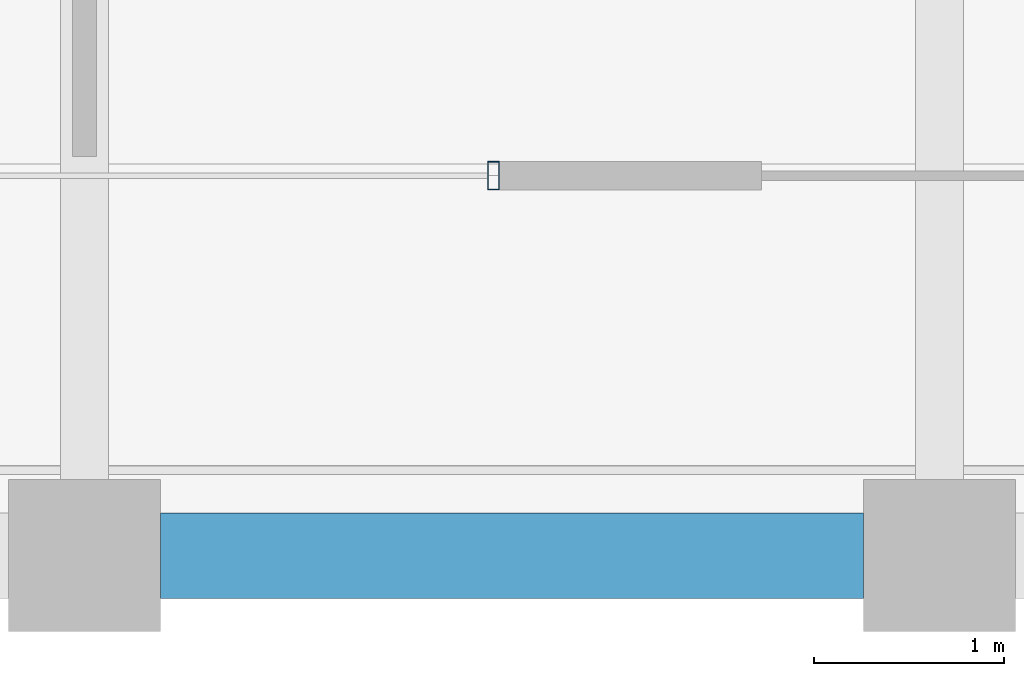
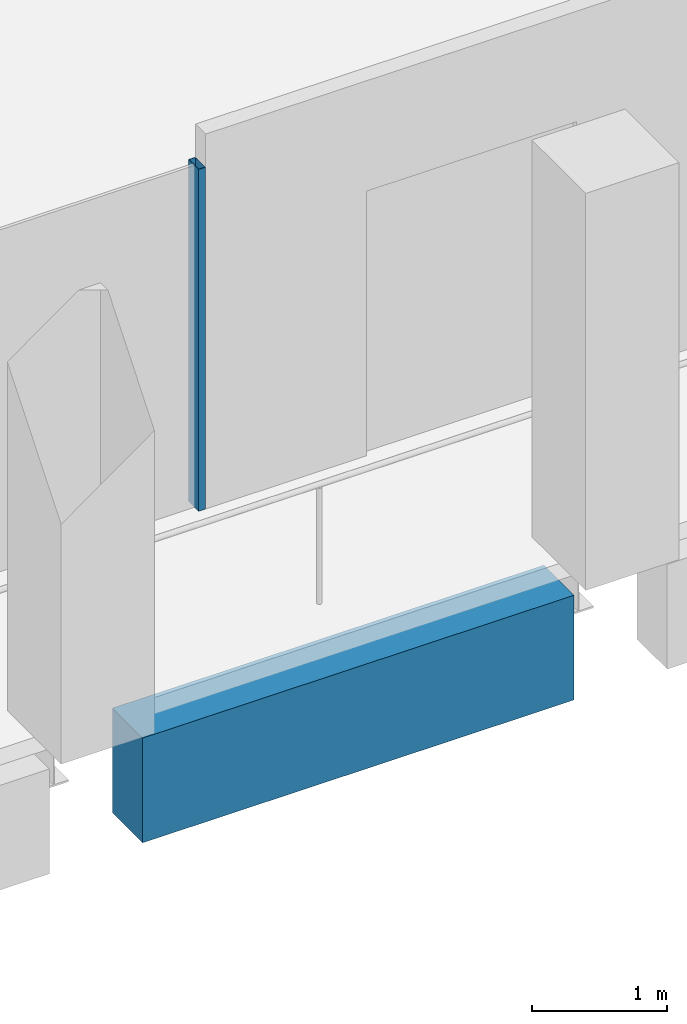
# One storey, part 7 of 30: 1 beam, 1 member, 1 element without a shape of its own.
"""IFC4 building model written with IfcOpenShell, lengths in metres."""

from ifc_helpers import new_model, si_unit, direction, frame, origin, origin_2d, place, context, subcontext, project, spatial, rectangle, hollow_rectangle, extrude, material, material_profile, profile_set, type_object, element, aggregate, save


model = new_model("IFC4")

# Units and contexts
model_context = context("Model", 3, precision=1e-05, world=origin(), true_north=direction((0.0, 1.0)))
body_context = subcontext(model_context, "Body", "Model", "MODEL_VIEW")
ifc_project = project(units=[si_unit("LENGTHUNIT", "METRE"), si_unit("AREAUNIT", "SQUARE_METRE"), si_unit("VOLUMEUNIT", "CUBIC_METRE"), si_unit("PLANEANGLEUNIT", "RADIAN"), si_unit("MASSUNIT", "GRAM", prefix="KILO")], contexts=[model_context])

# Site, building, storey
site_placement = place(None, origin())
site = spatial("IfcSite", under=ifc_project, at=site_placement, CompositionType="ELEMENT")
building_placement = place(site_placement, origin())
building = spatial("IfcBuilding", under=site, at=building_placement, Name="Altepetl Exchange Towers", CompositionType="ELEMENT")
storey_placement = place(building_placement, frame((0.0, 0.0, 242.39990234375)))
storey = spatial("IfcBuildingStorey", under=building, at=storey_placement, Name="L62", CompositionType="ELEMENT", Elevation=242.39990234375)

# Curtain wall, member
ifc_material_1 = material(Name="Aluminium 6063-T6 glazing", Category="aluminium")
curtain_wall_type = type_object("IfcCurtainWallType", Name="Loggia glazing system", PredefinedType="NOTDEFINED", material=ifc_material_1)
curtain_wall_placement = place(storey_placement, origin())
curtain_wall = element("IfcCurtainWall", 1, at=curtain_wall_placement, inside=storey, type_object=curtain_wall_type, Name="CW1 run", PredefinedType="NOTDEFINED")
ifc_material_2 = material(Name="Aluminium 6063-T6", Category="aluminium")
ifc_material_profile_1 = material_profile(ifc_material_2, hollow_rectangle(XDim=0.06005859375, YDim=0.14990234375, WallThickness=0.0029296875, at=origin_2d()), Name="Mullion 60x150 aluminium")
ifc_profile_set_1 = profile_set([ifc_material_profile_1], Name="Aluminium 6063-T6")
member_type = type_object("IfcMemberType", Name="Mullion 60x150 aluminium", PredefinedType="MULLION", material=ifc_profile_set_1)
member_placement = place(storey_placement, frame((47.152099609375, 29.0, 0.0)))
member = element("IfcMember", 2, at=member_placement, type_object=member_type, Name="MU1 mullion", PredefinedType="MULLION", context=body_context, shape_type="SweptSolid", body=[
    extrude(hollow_rectangle(XDim=0.06005859375, YDim=0.14990234375, WallThickness=0.0029296875, at=origin_2d()), origin(), (0.0, 0.0, 1.0), 3.10009765625),
])
aggregate(curtain_wall, [member])

# Beam
ifc_material_3 = material(Name="Concrete C50/60 precast with cantera blanca facing", Category="concrete")
ifc_material_profile_2 = material_profile(ifc_material_3, rectangle(XDim=0.449951171875, YDim=0.949951171875, at=origin_2d()), Name="450 x 950")
ifc_profile_set_2 = profile_set([ifc_material_profile_2], Name="Concrete C50/60 precast with cantera blanca facing")
beam_type = type_object("IfcBeamType", Name="Spandrel beam 450x950 cantera blanca", PredefinedType="SPANDREL", material=ifc_profile_set_2)
beam_placement = place(storey_placement, frame((45.39990234375, 27.0, -0.625), z_axis=(1.0, 0.0, 0.0), x_axis=(0.0, 1.0, 0.0)))
element("IfcBeam", 3, at=beam_placement, inside=storey, type_object=beam_type, Name="sp:A:L62:003", PredefinedType="SPANDREL", context=body_context, shape_type="SweptSolid", body=[
    extrude(rectangle(XDim=0.449951171875, YDim=0.949951171875, at=origin_2d()), origin(), (0.0, 0.0, 1.0), 3.7001953125),
])

save(model, "model.ifc")
